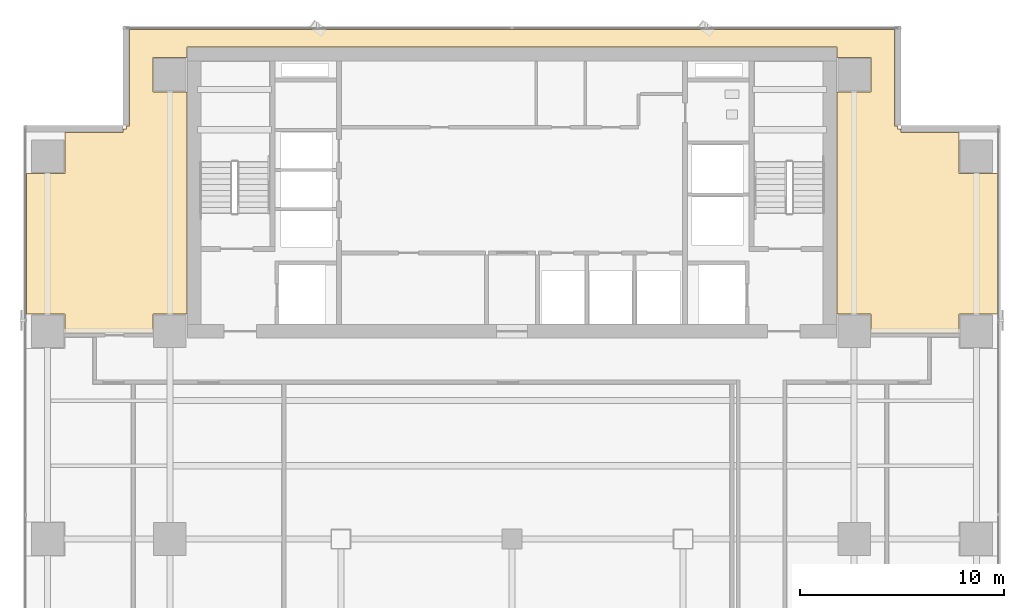
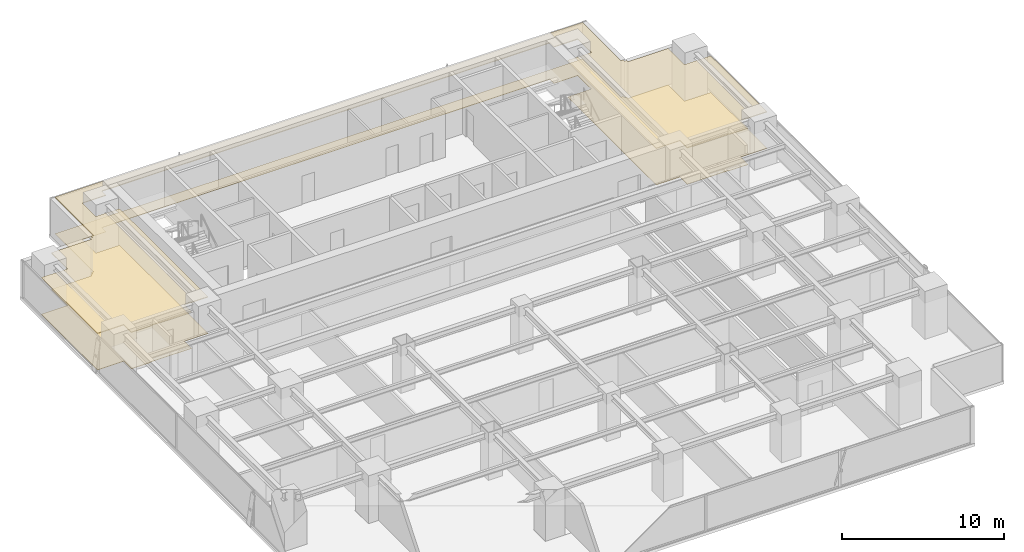
# One storey, part 26 of 28: 2 coverings.
"""IFC4 building model written with IfcOpenShell, lengths in metres."""

from ifc_helpers import new_model, si_unit, direction, frame, origin, place, context, subcontext, project, spatial, polyline, outline, extrude, material, layer, layer_set, type_object, element, save


model = new_model("IFC4")

# Units and contexts
model_context = context("Model", 3, precision=1e-05, world=origin(), true_north=direction((0.0, 1.0)))
body_context = subcontext(model_context, "Body", "Model", "MODEL_VIEW")
ifc_project = project(units=[si_unit("LENGTHUNIT", "METRE"), si_unit("AREAUNIT", "SQUARE_METRE"), si_unit("VOLUMEUNIT", "CUBIC_METRE"), si_unit("PLANEANGLEUNIT", "RADIAN"), si_unit("MASSUNIT", "GRAM", prefix="KILO")], contexts=[model_context])

# Site, building, storey
site_placement = place(None, origin())
site = spatial("IfcSite", under=ifc_project, at=site_placement, CompositionType="ELEMENT")
building_placement = place(site_placement, origin())
building = spatial("IfcBuilding", under=site, at=building_placement, Name="Sumidabori Civic Tower", CompositionType="ELEMENT")
storey_placement = place(building_placement, frame((0.0, 0.0, 167.60009765625)))
storey = spatial("IfcBuildingStorey", under=building, at=storey_placement, Name="L43", CompositionType="ELEMENT", Elevation=167.60009765625)

# Coverings
ifc_material_1 = material(Name="Anodised Bronze Baffle Ceiling")
ifc_layer_1 = layer(ifc_material_1, 0.054931640625, Name="Anodised Bronze Baffle Ceiling")
ifc_layer_set_1 = layer_set([ifc_layer_1], Name="Anodised Bronze Baffle Ceiling")
covering_type_1 = type_object("IfcCoveringType", Name="CV-CEIL-AC3", PredefinedType="CEILING", material=ifc_layer_set_1)
covering_1_placement = place(storey_placement, frame((0.0, 0.0, 2.72998046875)))
element("IfcCovering", 1, at=covering_1_placement, inside=storey, type_object=covering_type_1, Name="Room Acoustic Ceiling L43-01", PredefinedType="CEILING", context=body_context, shape_type="SweptSolid", body=[
    extrude(outline(polyline([(-20.60009765625, 10.110107421875), (-21.9599609375, 10.110107421875), (-21.9599609375, 11.0400390625), (-23.830078125, 11.0400390625), (-23.830078125, 17.9599609375), (-21.9599609375, 17.9599609375), (-21.9599609375, 19.971923828125), (-19.092041015625, 19.971923828125), (-19.092041015625, 20.1298828125), (-18.929931640625, 20.1298828125), (-18.929931640625, 20.2919921875), (-18.77197265625, 20.2919921875), (-18.77197265625, 25.030029296875), (18.77197265625, 25.030029296875), (18.77197265625, 20.2919921875), (18.929931640625, 20.2919921875), (18.929931640625, 20.1298828125), (19.092041015625, 20.1298828125), (19.092041015625, 19.971923828125), (21.9599609375, 19.971923828125), (21.9599609375, 17.9599609375), (23.830078125, 17.9599609375), (23.830078125, 11.0400390625), (21.9599609375, 11.0400390625), (21.9599609375, 10.110107421875), (20.60009765625, 10.110107421875), (20.60009765625, 10.14990234375), (17.639892578125, 10.14990234375), (17.639892578125, 11.0400390625), (15.952880859375, 11.0400390625), (15.952880859375, 21.9599609375), (17.639892578125, 21.9599609375), (17.639892578125, 23.639892578125), (15.952880859375, 23.639892578125), (15.952880859375, 24.153076171875), (-15.952880859375, 24.153076171875), (-15.952880859375, 23.639892578125), (-17.639892578125, 23.639892578125), (-17.639892578125, 21.9599609375), (-15.952880859375, 21.9599609375), (-15.952880859375, 11.0400390625), (-17.639892578125, 11.0400390625), (-17.639892578125, 10.14990234375), (-20.60009765625, 10.14990234375), (-20.60009765625, 10.110107421875)])), origin(), (0.0, 0.0, 1.0), 0.054931640625),
])
ifc_material_2 = material(Name="Honed Terrazzo Tile Flooring")
ifc_layer_2 = layer(ifc_material_2, 0.030029296875, Name="Honed Terrazzo Tile Flooring")
ifc_layer_set_2 = layer_set([ifc_layer_2], Name="Honed Terrazzo Tile Flooring")
covering_type_2 = type_object("IfcCoveringType", Name="CV-FLR-TER", PredefinedType="FLOORING", material=ifc_layer_set_2)
covering_2_placement = place(storey_placement, origin())
element("IfcCovering", 2, at=covering_2_placement, inside=storey, type_object=covering_type_2, Name="Room Terrazzo Floor L43-01", PredefinedType="FLOORING", context=body_context, shape_type="SweptSolid", body=[
    extrude(outline(polyline([(-20.60009765625, 10.110107421875), (-21.9599609375, 10.110107421875), (-21.9599609375, 11.0400390625), (-23.830078125, 11.0400390625), (-23.830078125, 17.9599609375), (-21.9599609375, 17.9599609375), (-21.9599609375, 19.971923828125), (-19.092041015625, 19.971923828125), (-19.092041015625, 20.1298828125), (-18.929931640625, 20.1298828125), (-18.929931640625, 20.2919921875), (-18.77197265625, 20.2919921875), (-18.77197265625, 25.030029296875), (18.77197265625, 25.030029296875), (18.77197265625, 20.2919921875), (18.929931640625, 20.2919921875), (18.929931640625, 20.1298828125), (19.092041015625, 20.1298828125), (19.092041015625, 19.971923828125), (21.9599609375, 19.971923828125), (21.9599609375, 17.9599609375), (23.830078125, 17.9599609375), (23.830078125, 11.0400390625), (21.9599609375, 11.0400390625), (21.9599609375, 10.110107421875), (20.60009765625, 10.110107421875), (20.60009765625, 10.14990234375), (17.639892578125, 10.14990234375), (17.639892578125, 11.0400390625), (15.952880859375, 11.0400390625), (15.952880859375, 21.9599609375), (17.639892578125, 21.9599609375), (17.639892578125, 23.639892578125), (15.952880859375, 23.639892578125), (15.952880859375, 24.153076171875), (-15.952880859375, 24.153076171875), (-15.952880859375, 23.639892578125), (-17.639892578125, 23.639892578125), (-17.639892578125, 21.9599609375), (-15.952880859375, 21.9599609375), (-15.952880859375, 11.0400390625), (-17.639892578125, 11.0400390625), (-17.639892578125, 10.14990234375), (-20.60009765625, 10.14990234375), (-20.60009765625, 10.110107421875)])), origin(), (0.0, 0.0, 1.0), 0.02978515625),
])

save(model, "model.ifc")
